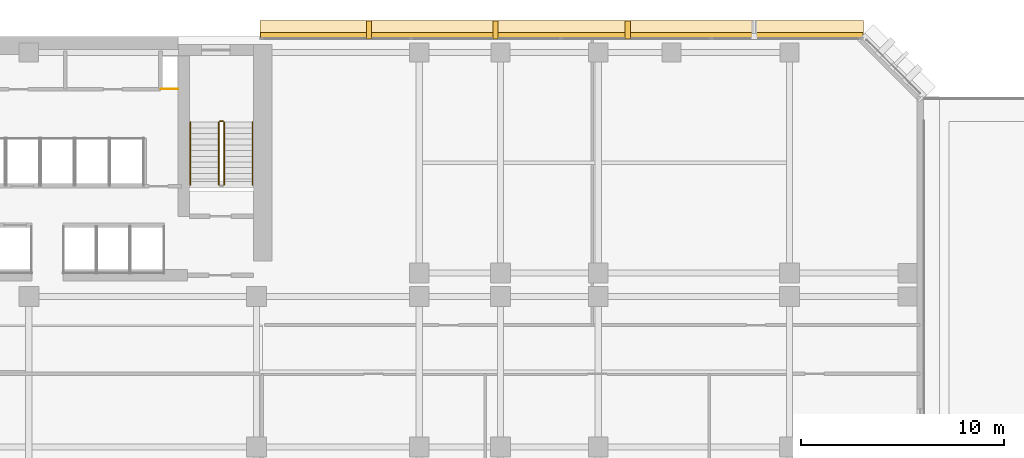
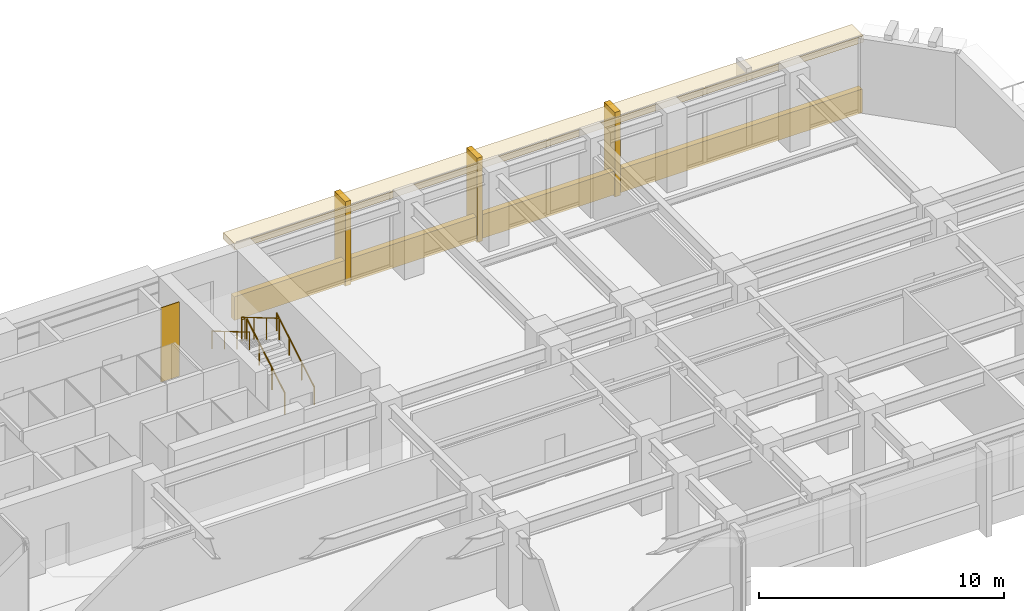
# One storey, part 12 of 13: 6 coverings, 5 railings.
"""IFC4 building model written with IfcOpenShell, lengths in metres."""

from ifc_helpers import new_model, si_unit, direction, frame, origin, origin_2d, place, context, subcontext, project, spatial, polyline, rectangle, circle, outline, extrude, material, layer, layer_set, type_object, element, save


model = new_model("IFC4")

# Units and contexts
model_context = context("Model", 3, precision=1e-05, world=origin(), true_north=direction((0.0, 1.0)))
body_context = subcontext(model_context, "Body", "Model", "MODEL_VIEW")
ifc_project = project(units=[si_unit("LENGTHUNIT", "METRE"), si_unit("AREAUNIT", "SQUARE_METRE"), si_unit("VOLUMEUNIT", "CUBIC_METRE"), si_unit("PLANEANGLEUNIT", "RADIAN"), si_unit("MASSUNIT", "GRAM", prefix="KILO")], contexts=[model_context])

# Site, building, storey
site_placement = place(None, origin())
site = spatial("IfcSite", under=ifc_project, at=site_placement, CompositionType="ELEMENT")
building_placement = place(site_placement, origin())
building = spatial("IfcBuilding", under=site, at=building_placement, Name="Kefirva Bronze Tower", CompositionType="ELEMENT")
storey_placement = place(building_placement, frame((0.0, 0.0, 30.360107421875)))
storey = spatial("IfcBuildingStorey", under=building, at=storey_placement, Name="L06", CompositionType="ELEMENT", Elevation=30.360107421875)

# Coverings
ifc_material_1 = material(Name="Bronze anodised aluminium", Category="aluminium")
ifc_layer_1 = layer(ifc_material_1, 0.02001953125, Name="Bronze anodised aluminium")
ifc_layer_set_1 = layer_set([ifc_layer_1], Name="Bronze anodised aluminium")
covering_type_1 = type_object("IfcCoveringType", Name="Anodised Bronze Spandrel Cladding 20mm", PredefinedType="CLADDING", material=ifc_layer_set_1)
covering_1_placement = place(storey_placement, frame((38.202392578125, 46.0400390625, -0.16015625), z_axis=(0.0, 0.0, 1.0), x_axis=(-1.0, 0.0, 0.0)))
element("IfcCovering", 1, at=covering_1_placement, inside=storey, type_object=covering_type_1, Name="L06 Streamline Horizontal Spandrel Band 8", PredefinedType="CLADDING", context=body_context, shape_type="SweptSolid", body=[
    extrude(rectangle(XDim=29.635009765625, YDim=0.280029296875, at=origin_2d()), origin(), (0.0, 0.0, 1.0), 1.179931640625),
])
covering_2_placement = place(storey_placement, origin())
element("IfcCovering", 2, at=covering_2_placement, inside=storey, type_object=covering_type_1, Name="L06 Core MEP Riser Shaft Liner South", PredefinedType="CLADDING", context=body_context, shape_type="SweptSolid", body=[
    extrude(outline(polyline([(18.47998046875, 43.39990234375), (19.360107421875, 43.39990234375), (19.360107421875, 43.429931640625), (18.47998046875, 43.429931640625), (18.47998046875, 43.39990234375)])), origin(), (0.0, 0.0, 1.0), 3.7099609375),
])

# Railings
ifc_material_2 = material(Name="Stainless steel 316", Category="steel")
railing_type_1 = type_object("IfcRailingType", Name="Interior Stair Guardrail 1100mm", PredefinedType="GUARDRAIL", material=ifc_material_2)
railing_1_placement = place(storey_placement, frame((21.60009765625, 38.699951171875, 0.164794921875)))
element("IfcRailing", 3, at=railing_1_placement, inside=storey, type_object=railing_type_1, Name="L06 ST-2 stair guard 1", PredefinedType="GUARDRAIL", context=body_context, shape_type="SweptSolid", body=[
    extrude(circle(Radius=0.02392578125, at=origin_2d()), frame((0.0, 0.0, 1.076171875), z_axis=(0.0, 0.861521393093, 0.507721271215), x_axis=(-1.0, 0.0, 0.0)), (0.0, 0.0, 1.0), 3.5751953125),
    extrude(circle(Radius=0.02099609375, at=origin_2d()), origin(), (0.0, 0.0, 1.0), 1.052001953125),
    extrude(circle(Radius=0.02099609375, at=origin_2d()), frame((0.0, 1.026611328125, 0.60498046875)), (0.0, 0.0, 1.0), 1.052001953125),
    extrude(circle(Radius=0.02099609375, at=origin_2d()), frame((0.0, 2.053466796875, 1.210205078125)), (0.0, 0.0, 1.0), 1.052001953125),
    extrude(circle(Radius=0.02099609375, at=origin_2d()), frame((0.0, 3.080078125, 1.815185546875)), (0.0, 0.0, 1.0), 1.052001953125),
])
railing_2_placement = place(storey_placement, frame((21.550048828125, 41.830078125, 1.97998046875)))
element("IfcRailing", 4, at=railing_2_placement, inside=storey, type_object=railing_type_1, Name="L06 ST-2 stair guard 2", PredefinedType="GUARDRAIL", context=body_context, shape_type="SweptSolid", body=[
    extrude(circle(Radius=0.02392578125, at=origin_2d()), frame((0.0, 0.0, 1.076171875), z_axis=(-1.0, 0.0, 0.0), x_axis=(0.0, -1.0, 0.0)), (0.0, 0.0, 1.0), 0.150146484375),
    extrude(circle(Radius=0.02099609375, at=origin_2d()), origin(), (0.0, 0.0, 1.0), 1.052001953125),
    extrude(circle(Radius=0.02099609375, at=origin_2d()), frame((-0.150146484375, 0.0, 0.0)), (0.0, 0.0, 1.0), 1.052001953125),
])
railing_3_placement = place(storey_placement, frame((21.35009765625, 41.780029296875, 2.144775390625)))
element("IfcRailing", 5, at=railing_3_placement, inside=storey, type_object=railing_type_1, Name="L06 ST-2 stair guard 3", PredefinedType="GUARDRAIL", context=body_context, shape_type="SweptSolid", body=[
    extrude(circle(Radius=0.02392578125, at=origin_2d()), frame((0.0, 0.0, 1.076171875), z_axis=(0.0, -0.861521393093, 0.507721271215), x_axis=(1.0, 0.0, 0.0)), (0.0, 0.0, 1.0), 3.5751953125),
    extrude(circle(Radius=0.02099609375, at=origin_2d()), origin(), (0.0, 0.0, 1.0), 1.052001953125),
    extrude(circle(Radius=0.02099609375, at=origin_2d()), frame((0.0, -1.026611328125, 0.60498046875)), (0.0, 0.0, 1.0), 1.052001953125),
    extrude(circle(Radius=0.02099609375, at=origin_2d()), frame((0.0, -2.053466796875, 1.210205078125)), (0.0, 0.0, 1.0), 1.052001953125),
    extrude(circle(Radius=0.02099609375, at=origin_2d()), frame((0.0, -3.080078125, 1.815185546875)), (0.0, 0.0, 1.0), 1.052001953125),
])
railing_type_2 = type_object("IfcRailingType", Name="Stair Pitch Handrail 900mm", PredefinedType="HANDRAIL", material=ifc_material_2)
railing_4_placement = place(storey_placement, frame((23.0, 38.699951171875, 0.164794921875)))
element("IfcRailing", 6, at=railing_4_placement, inside=storey, type_object=railing_type_2, Name="L06 ST-2 stair handrail 1", PredefinedType="HANDRAIL", context=body_context, shape_type="SweptSolid", body=[
    extrude(circle(Radius=0.02392578125, at=origin_2d()), frame((0.0, 0.0, 0.8759765625), z_axis=(0.0, 0.861521393093, 0.507721271215), x_axis=(-1.0, 0.0, 0.0)), (0.0, 0.0, 1.0), 3.5751953125),
    extrude(circle(Radius=0.02099609375, at=origin_2d()), origin(), (0.0, 0.0, 1.0), 0.851806640625),
    extrude(circle(Radius=0.02099609375, at=origin_2d()), frame((0.0, 1.026611328125, 0.60498046875)), (0.0, 0.0, 1.0), 0.851806640625),
    extrude(circle(Radius=0.02099609375, at=origin_2d()), frame((0.0, 2.053466796875, 1.210205078125)), (0.0, 0.0, 1.0), 0.851806640625),
    extrude(circle(Radius=0.02099609375, at=origin_2d()), frame((0.0, 3.080078125, 1.815185546875)), (0.0, 0.0, 1.0), 0.851806640625),
])
railing_5_placement = place(storey_placement, frame((19.949951171875, 41.780029296875, 2.144775390625)))
element("IfcRailing", 7, at=railing_5_placement, inside=storey, type_object=railing_type_2, Name="L06 ST-2 stair handrail 2", PredefinedType="HANDRAIL", context=body_context, shape_type="SweptSolid", body=[
    extrude(circle(Radius=0.02392578125, at=origin_2d()), frame((0.0, 0.0, 0.8759765625), z_axis=(0.0, -0.861521393093, 0.507721271215), x_axis=(1.0, 0.0, 0.0)), (0.0, 0.0, 1.0), 3.5751953125),
    extrude(circle(Radius=0.02099609375, at=origin_2d()), origin(), (0.0, 0.0, 1.0), 0.851806640625),
    extrude(circle(Radius=0.02099609375, at=origin_2d()), frame((0.0, -1.026611328125, 0.60498046875)), (0.0, 0.0, 1.0), 0.851806640625),
    extrude(circle(Radius=0.02099609375, at=origin_2d()), frame((0.0, -2.053466796875, 1.210205078125)), (0.0, 0.0, 1.0), 0.851806640625),
    extrude(circle(Radius=0.02099609375, at=origin_2d()), frame((0.0, -3.080078125, 1.815185546875)), (0.0, 0.0, 1.0), 0.851806640625),
])

# Coverings
ifc_layer_2 = layer(ifc_material_1, 0.179931640625, Name="Bronze anodised aluminium")
ifc_layer_set_2 = layer_set([ifc_layer_2], Name="Bronze anodised aluminium")
covering_type_2 = type_object("IfcCoveringType", Name="Streamline Bronze Sunshade Eyebrow Cladding 180mm", PredefinedType="CLADDING", material=ifc_layer_set_2)
covering_3_placement = place(storey_placement, frame((38.202392578125, 46.31005859375, 3.3896484375), z_axis=(0.0, 0.0, 1.0), x_axis=(-1.0, 0.0, 0.0)))
element("IfcCovering", 8, at=covering_3_placement, inside=storey, type_object=covering_type_2, Name="L06 Streamline Bronze Sunshade Eyebrow 8", PredefinedType="CLADDING", context=body_context, shape_type="SweptSolid", body=[
    extrude(rectangle(XDim=29.675048828125, YDim=0.93994140625, at=origin_2d()), origin(), (0.0, 0.0, 1.0), 0.320068359375),
])
ifc_layer_3 = layer(ifc_material_1, 0.260009765625, Name="Bronze anodised aluminium")
ifc_layer_set_3 = layer_set([ifc_layer_3], Name="Bronze anodised aluminium")
covering_type_3 = type_object("IfcCoveringType", Name="Unbroken Bronze Buttress Fin Cladding 260mm", PredefinedType="CLADDING", material=ifc_layer_set_3)
for number, where, z_axis, x_axis, name in (
    (9, (41.4580078125, 46.300048828125, -0.25), (0.0, 0.0, 1.0), (-1.0, 0.0, 0.0), "L06 Unbroken Vertical Bronze Rib Fin 18"),
    (10, (34.947021484375, 46.300048828125, -0.25), (0.0, 0.0, 1.0), (-1.0, 0.0, 0.0), "L06 Unbroken Vertical Bronze Rib Fin 19"),
    (11, (28.732177734375, 46.300048828125, -0.25), (0.0, 0.0, 1.0), (-1.0, 0.0, 0.0), "L06 Unbroken Vertical Bronze Rib Fin 20"),
):
    element("IfcCovering", number, at=place(storey_placement, frame(where, z_axis=z_axis, x_axis=x_axis)), inside=storey, type_object=covering_type_3, Name=name, PredefinedType="CLADDING", context=body_context, shape_type="SweptSolid", body=[
        extrude(rectangle(XDim=0.260009765625, YDim=0.8798828125, at=origin_2d()), origin(), (0.0, 0.0, 1.0), 4.2099609375),
    ])

save(model, "model.ifc")
